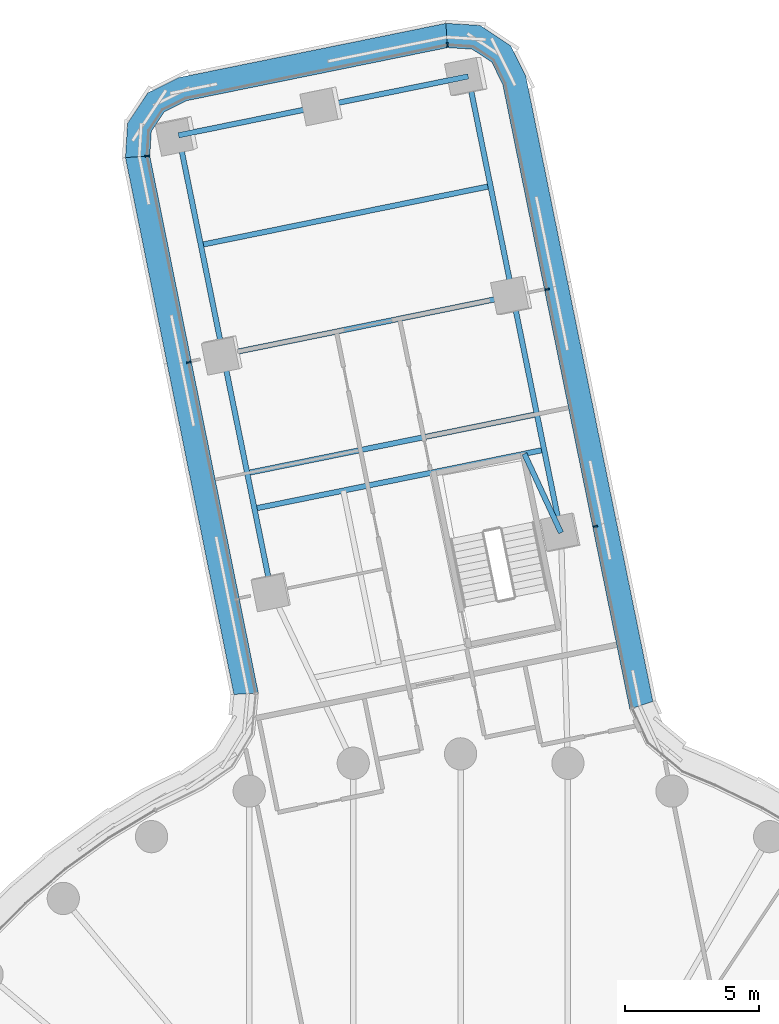
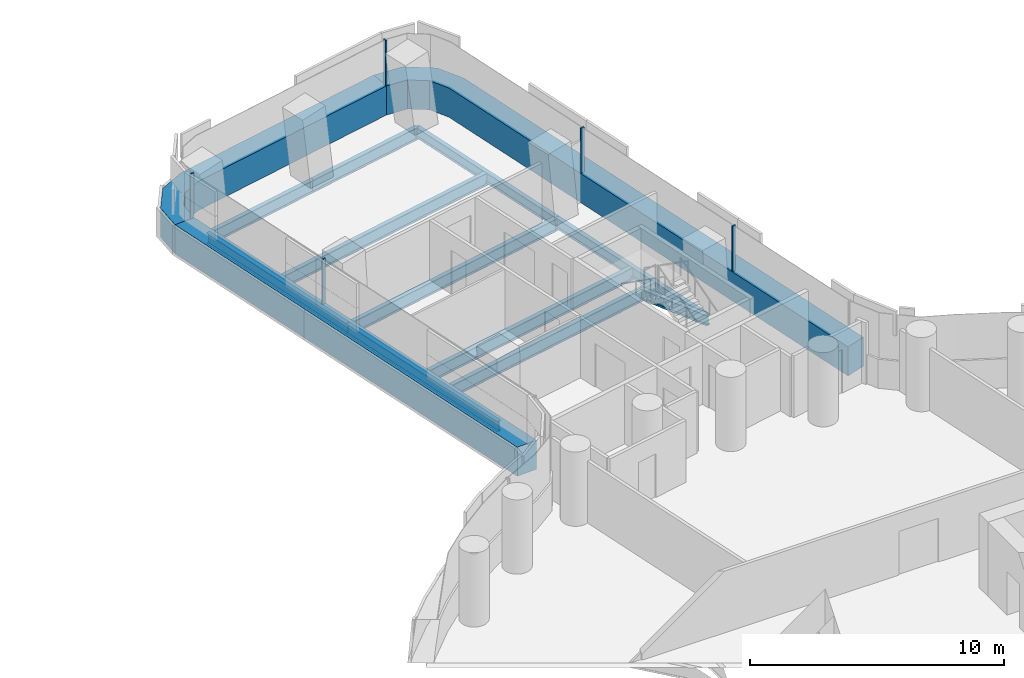
# One storey, part 15 of 31: 11 beams, 8 members, 3 elements without a shape of their own.
"""IFC4 building model written with IfcOpenShell, lengths in metres."""

from ifc_helpers import new_model, si_unit, direction, frame, origin, origin_2d, place, context, subcontext, project, spatial, polyline, rectangle, i_section, outline, extrude, material, layer, layer_set, material_profile, profile_set, type_object, element, aggregate, save


model = new_model("IFC4")

# Units and contexts
model_context = context("Model", 3, precision=1e-05, world=origin(), true_north=direction((0.0, 1.0)))
body_context = subcontext(model_context, "Body", "Model", "MODEL_VIEW")
ifc_project = project(units=[si_unit("LENGTHUNIT", "METRE"), si_unit("AREAUNIT", "SQUARE_METRE"), si_unit("VOLUMEUNIT", "CUBIC_METRE"), si_unit("PLANEANGLEUNIT", "RADIAN"), si_unit("MASSUNIT", "GRAM", prefix="KILO")], contexts=[model_context])

# Site, building, storey
site_placement = place(None, origin())
site = spatial("IfcSite", under=ifc_project, at=site_placement, CompositionType="ELEMENT")
building_placement = place(site_placement, origin())
building = spatial("IfcBuilding", under=site, at=building_placement, Name="Tamarind Cross Interchange Tower", CompositionType="ELEMENT")
storey_placement = place(building_placement, frame((0.0, 0.0, 75.25)))
storey = spatial("IfcBuildingStorey", under=building, at=storey_placement, Name="L17", CompositionType="ELEMENT", Elevation=75.25)

# Beams
ifc_material_1 = material(Name="Steel Q355B", Category="steel")
ifc_material_profile_1 = material_profile(ifc_material_1, i_section(OverallWidth=0.198974609375, OverallDepth=0.49609375, WebThickness=0.009033203125, FlangeThickness=0.013916015625, FilletRadius=0.012939453125, at=origin_2d()), Name="HN 496x199x9x14")
ifc_profile_set_1 = profile_set([ifc_material_profile_1], Name="Steel Q355B")
beam_type_1 = type_object("IfcBeamType", Name="Composite beam HN 496x199x9x14 Q355B", PredefinedType="BEAM", material=ifc_profile_set_1)
beam_1_placement = place(storey_placement, frame((0.283447265625, 48.2099609375, -0.387939453125), z_axis=(0.199260959921, -0.979946462747, 0.0), x_axis=(0.979946462747, 0.199260959921, 0.0)))
element("IfcBeam", 1, at=beam_1_placement, inside=storey, type_object=beam_type_1, Name="Beam N-edgeem5", PredefinedType="BEAM", context=body_context, shape_type="SweptSolid", body=[
    extrude(i_section(OverallWidth=0.198974609375, OverallDepth=0.49609375, WebThickness=0.009033203125, FlangeThickness=0.013916015625, FilletRadius=0.012939453125, at=origin_2d()), origin(), (0.0, 0.0, 1.0), 8.327880859375),
])
beam_2_placement = place(storey_placement, frame((1.94287109375, 40.049072265625, -0.387939453125), z_axis=(0.199245132366, -0.979949680968, 0.0), x_axis=(0.979949680968, 0.199245132366, 0.0)))
element("IfcBeam", 2, at=beam_2_placement, inside=storey, type_object=beam_type_1, Name="Beam N-edgeem6", PredefinedType="BEAM", context=body_context, shape_type="SweptSolid", body=[
    extrude(i_section(OverallWidth=0.198974609375, OverallDepth=0.49609375, WebThickness=0.009033203125, FlangeThickness=0.013916015625, FilletRadius=0.012939453125, at=origin_2d()), origin(), (0.0, 0.0, 1.0), 9.0),
])
beam_3_placement = place(storey_placement, frame((-10.49609375, 46.018310546875, -0.387939453125), z_axis=(0.199255235689, -0.979947626688, 0.0), x_axis=(0.979947626688, 0.199255235689, 0.0)))
element("IfcBeam", 3, at=beam_3_placement, inside=storey, type_object=beam_type_1, Name="Beam N-edgeep2", PredefinedType="BEAM", context=body_context, shape_type="SweptSolid", body=[
    extrude(i_section(OverallWidth=0.198974609375, OverallDepth=0.49609375, WebThickness=0.009033203125, FlangeThickness=0.013916015625, FilletRadius=0.012939453125, at=origin_2d()), origin(), (0.0, 0.0, 1.0), 8.328125),
])
beam_4_placement = place(storey_placement, frame((-8.836669921875, 37.857177734375, -0.387939453125), z_axis=(0.199250428984, -0.979948604035, 0.0), x_axis=(0.979948604035, 0.199250428984, 0.0)))
element("IfcBeam", 4, at=beam_4_placement, inside=storey, type_object=beam_type_1, Name="Beam N-edgeep3", PredefinedType="BEAM", context=body_context, shape_type="SweptSolid", body=[
    extrude(i_section(OverallWidth=0.198974609375, OverallDepth=0.49609375, WebThickness=0.009033203125, FlangeThickness=0.013916015625, FilletRadius=0.012939453125, at=origin_2d()), origin(), (0.0, 0.0, 1.0), 8.999755859375),
])
beam_5_placement = place(storey_placement, frame((3.736083984375, 31.2294921875, -0.387939453125), z_axis=(-0.420874257641, 0.907118988477, 0.0), x_axis=(-0.907118988477, -0.420874257641, 0.0)))
element("IfcBeam", 5, at=beam_5_placement, inside=storey, type_object=beam_type_1, Name="Beam N-tr0", PredefinedType="BEAM", context=body_context, shape_type="SweptSolid", body=[
    extrude(i_section(OverallWidth=0.198974609375, OverallDepth=0.49609375, WebThickness=0.009033203125, FlangeThickness=0.013916015625, FilletRadius=0.012939453125, at=origin_2d()), origin(), (0.0, 0.0, 1.0), 3.238037109375),
])
ifc_material_profile_2 = material_profile(ifc_material_1, i_section(OverallWidth=0.199951171875, OverallDepth=0.60009765625, WebThickness=0.010986328125, FlangeThickness=0.01708984375, FilletRadius=0.012939453125, at=origin_2d()), Name="HN 600x200x11x17")
ifc_profile_set_2 = profile_set([ifc_material_profile_2], Name="Steel Q355B")
beam_type_2 = type_object("IfcBeamType", Name="Composite beam HN 600x200x11x17 Q355B", PredefinedType="BEAM", material=ifc_profile_set_2)
beam_6_placement = place(storey_placement, frame((0.283447265625, 48.2099609375, -0.43994140625), z_axis=(-0.979954291995, -0.199222452549, 0.0), x_axis=(0.199222452549, -0.979954291995, 0.0)))
element("IfcBeam", 6, at=beam_6_placement, inside=storey, type_object=beam_type_2, Name="Beam N-tip0", PredefinedType="BEAM", context=body_context, shape_type="SweptSolid", body=[
    extrude(i_section(OverallWidth=0.199951171875, OverallDepth=0.60009765625, WebThickness=0.010986328125, FlangeThickness=0.01708984375, FilletRadius=0.012939453125, at=origin_2d()), origin(), (0.0, 0.0, 1.0), 5.5),
])
beam_7_placement = place(storey_placement, frame((-5.106201171875, 47.1142578125, -0.43994140625), z_axis=(-0.979947387374, -0.199256412643, 0.0), x_axis=(0.199256412643, -0.979947387374, 0.0)))
element("IfcBeam", 7, at=beam_7_placement, inside=storey, type_object=beam_type_2, Name="Beam N-tip1", PredefinedType="BEAM", context=body_context, shape_type="SweptSolid", body=[
    extrude(i_section(OverallWidth=0.199951171875, OverallDepth=0.60009765625, WebThickness=0.010986328125, FlangeThickness=0.01708984375, FilletRadius=0.012939453125, at=origin_2d()), origin(), (0.0, 0.0, 1.0), 5.500244140625),
])
beam_8_placement = place(storey_placement, frame((3.1083984375, 34.316162109375, -0.43994140625), z_axis=(-0.979950839741, -0.19923943307, 0.0), x_axis=(0.19923943307, -0.979950839741, 0.0)))
element("IfcBeam", 8, at=beam_8_placement, inside=storey, type_object=beam_type_2, Name="Beam N-x334", PredefinedType="BEAM", context=body_context, shape_type="SweptSolid", body=[
    extrude(i_section(OverallWidth=0.199951171875, OverallDepth=0.60009765625, WebThickness=0.010986328125, FlangeThickness=0.01708984375, FilletRadius=0.012939453125, at=origin_2d()), origin(), (0.0, 0.0, 1.0), 11.0),
])
beam_9_placement = place(storey_placement, frame((1.94287109375, 40.049072265625, -0.43994140625), z_axis=(-0.97994650618, -0.199260746325, 0.0), x_axis=(0.199260746325, -0.97994650618, 0.0)))
element("IfcBeam", 9, at=beam_9_placement, inside=storey, type_object=beam_type_2, Name="Beam N-x393", PredefinedType="BEAM", context=body_context, shape_type="SweptSolid", body=[
    extrude(i_section(OverallWidth=0.199951171875, OverallDepth=0.60009765625, WebThickness=0.010986328125, FlangeThickness=0.01708984375, FilletRadius=0.012939453125, at=origin_2d()), origin(), (0.0, 0.0, 1.0), 11.000244140625),
])
for number, where, z_axis, x_axis, name in (
    (10, (2.83935546875, 35.63916015625, -0.43994140625), (-0.979949958675, -0.199243766512, 0.0), (0.199243766512, -0.979949958675, 0.0), "Beam N-x348"),
    (11, (1.113037109375, 44.12939453125, -0.43994140625), (-0.979949958675, -0.199243766512, 0.0), (0.199243766512, -0.979949958675, 0.0), "Beam N-x435"),
):
    element("IfcBeam", number, at=place(storey_placement, frame(where, z_axis=z_axis, x_axis=x_axis)), inside=storey, type_object=beam_type_2, Name=name, PredefinedType="BEAM", context=body_context, shape_type="SweptSolid", body=[
        extrude(i_section(OverallWidth=0.199951171875, OverallDepth=0.60009765625, WebThickness=0.010986328125, FlangeThickness=0.01708984375, FilletRadius=0.012939453125, at=origin_2d()), origin(), (0.0, 0.0, 1.0), 10.999755859375),
    ])

# Curtain wall, member
ifc_material_2 = material(Name="Aluminium 6063-T6", Category="aluminium")
ifc_layer = layer(ifc_material_2, 0.159912109375)
ifc_layer_set = layer_set([ifc_layer], Name="Aluminium 6063-T6")
curtain_wall_type = type_object("IfcCurtainWallType", Name="Office curtain wall, 9.0 m bays", PredefinedType="NOTDEFINED", material=ifc_layer_set)
curtain_wall_1_placement = place(storey_placement, origin())
curtain_wall_1 = element("IfcCurtainWall", 12, at=curtain_wall_1_placement, inside=storey, type_object=curtain_wall_type, Name="CWS-L17-11", PredefinedType="NOTDEFINED")
ifc_material_3 = material(Name="Aluminium and insulated spandrel panel", Category="aluminium")
member_type_1 = type_object("IfcMemberType", Name="Floor-edge blade transom", PredefinedType="USERDEFINED", material=ifc_material_3)
member_1_placement = place(storey_placement, origin())
member_1 = element("IfcMember", 13, at=member_1_placement, type_object=member_type_1, Name="CWT-L17-11", ObjectType="TRANSOM", PredefinedType="USERDEFINED", context=body_context, shape_type="SweptSolid", body=[
    extrude(outline(polyline([(6.294921875, 24.6669921875), (1.56689453125, 47.92041015625), (1.158447265625, 48.73974609375), (0.429443359375, 49.222412109375), (-0.484375, 49.278564453125), (-0.547607421875, 50.18408203125), (0.72509765625, 50.10595703125), (1.8564453125, 49.35693359375), (2.42529296875, 48.2158203125), (7.156494140625, 24.94677734375), (6.294921875, 24.6669921875)])), origin(), (0.0, 0.0, 1.0), 1.39990234375),
])

curtain_wall_2_placement = place(storey_placement, origin())
curtain_wall_2 = element("IfcCurtainWall", 14, at=curtain_wall_2_placement, inside=storey, type_object=curtain_wall_type, Name="CWS-L17-12", PredefinedType="NOTDEFINED")
member_2_placement = place(storey_placement, origin())
member_2 = element("IfcMember", 15, at=member_2_placement, type_object=member_type_1, Name="CWT-L17-12", ObjectType="TRANSOM", PredefinedType="USERDEFINED", context=body_context, shape_type="SweptSolid", body=[
    extrude(outline(polyline([(-0.484375, 49.278564453125), (-10.206298828125, 47.3017578125), (-11.025634765625, 46.8935546875), (-11.508544921875, 46.164306640625), (-11.564453125, 45.25048828125), (-12.469970703125, 45.187744140625), (-12.39208984375, 46.4599609375), (-11.64306640625, 47.59130859375), (-10.501708984375, 48.16015625), (-0.547607421875, 50.18408203125), (-0.484375, 49.278564453125)])), origin(), (0.0, 0.0, 1.0), 1.39990234375),
])

curtain_wall_3_placement = place(storey_placement, origin())
curtain_wall_3 = element("IfcCurtainWall", 16, at=curtain_wall_3_placement, inside=storey, type_object=curtain_wall_type, Name="CWS-L17-13", PredefinedType="NOTDEFINED")
member_3_placement = place(storey_placement, origin())
member_3 = element("IfcMember", 17, at=member_3_placement, type_object=member_type_1, Name="CWT-L17-13", ObjectType="TRANSOM", PredefinedType="USERDEFINED", context=body_context, shape_type="SweptSolid", body=[
    extrude(outline(polyline([(-11.564453125, 45.25048828125), (-7.525634765625, 25.258544921875), (-8.434326171875, 25.211181640625), (-12.469970703125, 45.187744140625), (-11.564453125, 45.25048828125)])), origin(), (0.0, 0.0, 1.0), 1.39990234375),
])

# Member
ifc_material_profile_3 = material_profile(ifc_material_2, rectangle(XDim=0.06005859375, YDim=0.159912109375, at=origin_2d()), Name="Mullion CW1")
ifc_profile_set_3 = profile_set([ifc_material_profile_3], Name="Aluminium 6063-T6")
member_type_2 = type_object("IfcMemberType", Name="Mullion CW1", PredefinedType="MULLION", material=ifc_profile_set_3)
member_4_placement = place(storey_placement, frame((5.0146484375, 31.465087890625, 1.39990234375), z_axis=(0.0, 0.0, 1.0), x_axis=(-0.199244791873, 0.979949750197, 0.0)))
member_4 = element("IfcMember", 18, at=member_4_placement, type_object=member_type_2, Name="CWM-L17-11-01", PredefinedType="MULLION", context=body_context, shape_type="SweptSolid", body=[
    extrude(rectangle(XDim=0.06005859375, YDim=0.159912109375, at=origin_2d()), origin(), (0.0, 0.0, 1.0), 2.170166015625),
])

member_5_placement = place(storey_placement, frame((3.2216796875, 40.283203125, 1.39990234375), z_axis=(0.0, 0.0, 1.0), x_axis=(-0.199244791873, 0.979949750197, 0.0)))
member_5 = element("IfcMember", 19, at=member_5_placement, type_object=member_type_2, Name="CWM-L17-11-02", PredefinedType="MULLION", context=body_context, shape_type="SweptSolid", body=[
    extrude(rectangle(XDim=0.06005859375, YDim=0.159912109375, at=origin_2d()), origin(), (0.0, 0.0, 1.0), 2.170166015625),
])

aggregate(curtain_wall_1, [member_4, member_5, member_1])

member_6_placement = place(storey_placement, frame((-0.4912109375, 49.379150390625, 1.39990234375), z_axis=(0.0, 0.0, 1.0), x_axis=(-0.99757280824, -0.069631115598, 0.0)))
member_6 = element("IfcMember", 20, at=member_6_placement, type_object=member_type_2, Name="CWM-L17-12-00", PredefinedType="MULLION", context=body_context, shape_type="SweptSolid", body=[
    extrude(rectangle(XDim=0.06005859375, YDim=0.159912109375, at=origin_2d()), origin(), (0.0, 0.0, 1.0), 2.170166015625),
])

aggregate(curtain_wall_2, [member_6, member_2])

member_7_placement = place(storey_placement, frame((-11.6650390625, 45.243408203125, 1.39990234375), z_axis=(0.0, 0.0, 1.0), x_axis=(0.069009211684, -0.997616022677, 0.0)))
member_7 = element("IfcMember", 21, at=member_7_placement, type_object=member_type_2, Name="CWM-L17-13-00", PredefinedType="MULLION", context=body_context, shape_type="SweptSolid", body=[
    extrude(rectangle(XDim=0.06005859375, YDim=0.159912109375, at=origin_2d()), origin(), (0.0, 0.0, 1.0), 2.170166015625),
])

member_8_placement = place(storey_placement, frame((-10.11474609375, 37.569091796875, 1.39990234375), z_axis=(0.0, 0.0, 1.0), x_axis=(0.19802282903, -0.980197408272, 0.0)))
member_8 = element("IfcMember", 22, at=member_8_placement, type_object=member_type_2, Name="CWM-L17-13-01", PredefinedType="MULLION", context=body_context, shape_type="SweptSolid", body=[
    extrude(rectangle(XDim=0.06005859375, YDim=0.159912109375, at=origin_2d()), origin(), (0.0, 0.0, 1.0), 2.170166015625),
])

aggregate(curtain_wall_3, [member_7, member_8, member_3])

save(model, "model.ifc")
